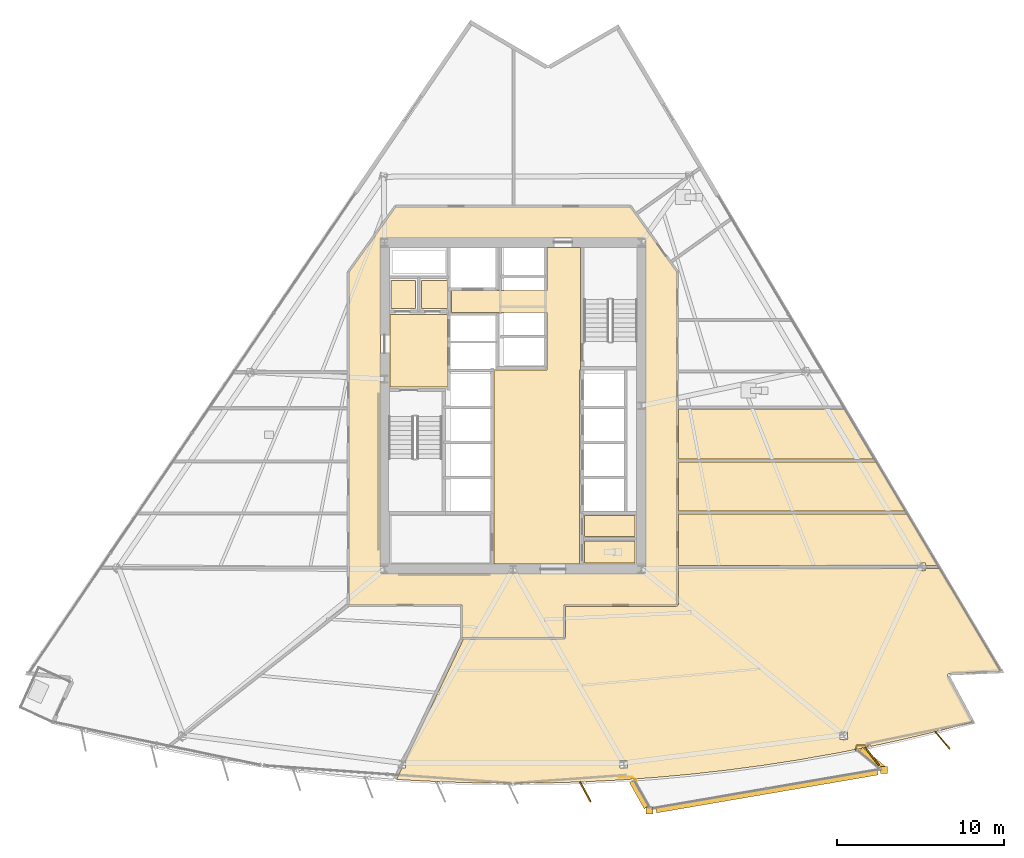
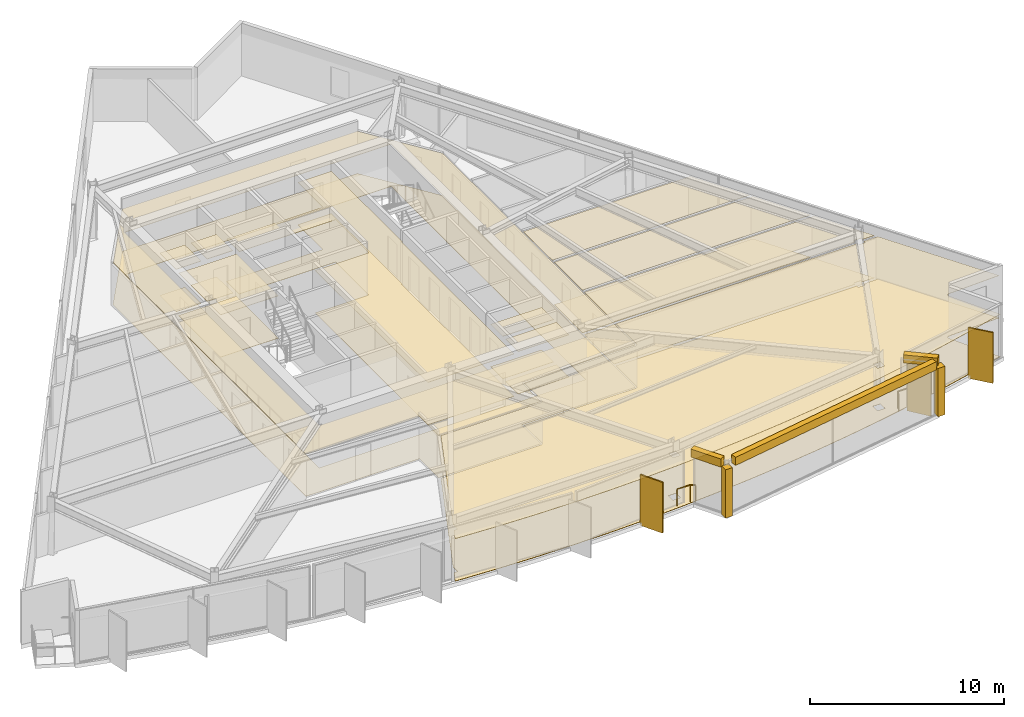
# One storey, part 13 of 16: 26 coverings, 3 shading devices, 2 railings.
"""IFC4 building model written with IfcOpenShell, lengths in metres."""

from ifc_helpers import new_model, si_unit, direction, frame, origin, origin_2d, place, context, subcontext, project, spatial, polyline, rectangle, circle, outline, extrude, material, layer, layer_set, type_object, element, save


model = new_model("IFC4")

# Units and contexts
model_context = context("Model", 3, precision=1e-05, world=origin(), true_north=direction((0.0, 1.0)))
body_context = subcontext(model_context, "Body", "Model", "MODEL_VIEW")
ifc_project = project(units=[si_unit("LENGTHUNIT", "METRE"), si_unit("AREAUNIT", "SQUARE_METRE"), si_unit("VOLUMEUNIT", "CUBIC_METRE"), si_unit("PLANEANGLEUNIT", "RADIAN"), si_unit("MASSUNIT", "GRAM", prefix="KILO")], contexts=[model_context])

# Site, building, storey
site_placement = place(None, origin())
site = spatial("IfcSite", under=ifc_project, at=site_placement, CompositionType="ELEMENT")
building_placement = place(site_placement, origin())
building = spatial("IfcBuilding", under=site, at=building_placement, Name="Savorim Split Tower", CompositionType="ELEMENT")
storey_placement = place(building_placement, frame((0.0, 0.0, 51.60009765625)))
storey = spatial("IfcBuildingStorey", under=building, at=storey_placement, Name="L13", CompositionType="ELEMENT", Elevation=51.60009765625)

# Coverings
ifc_material_1 = material(Name="Mineral Fibre Acoustic Ceiling")
ifc_layer_1 = layer(ifc_material_1, 0.02490234375)
ifc_layer_set_1 = layer_set([ifc_layer_1], Name="COV-CEIL-25")
covering_type_1 = type_object("IfcCoveringType", Name="COV-CEIL-25", PredefinedType="CEILING", material=ifc_layer_set_1)
covering_1_placement = place(storey_placement, frame((0.0, 0.0, 2.669921875)))
element("IfcCovering", 1, at=covering_1_placement, inside=storey, type_object=covering_type_1, Name="L13 Firefighting Lift Lobby Acoustic Ceiling", PredefinedType="CEILING", context=body_context, shape_type="SweptSolid", body=[
    extrude(outline(polyline([(-7.3798828125, 5.8701171875), (-7.3798828125, 1.530029296875), (-3.929931640625, 1.530029296875), (-3.929931640625, 5.8701171875), (-7.3798828125, 5.8701171875)])), origin(), (0.0, 0.0, 1.0), 0.02490234375),
])
covering_2_placement = place(storey_placement, frame((0.0, 0.0, 2.669921875)))
element("IfcCovering", 2, at=covering_2_placement, inside=storey, type_object=covering_type_1, Name="L13 Electrical Riser Acoustic Ceiling", PredefinedType="CEILING", context=body_context, shape_type="SweptSolid", body=[
    extrude(outline(polyline([(-7.320068359375, 7.919921875), (-7.320068359375, 6.22998046875), (-5.830078125, 6.22998046875), (-5.830078125, 7.919921875), (-7.320068359375, 7.919921875)])), origin(), (0.0, 0.0, 1.0), 0.02490234375),
])
covering_3_placement = place(storey_placement, frame((0.0, 0.0, 2.669921875)))
element("IfcCovering", 3, at=covering_3_placement, inside=storey, type_object=covering_type_1, Name="L13 Telecom Riser Acoustic Ceiling", PredefinedType="CEILING", context=body_context, shape_type="SweptSolid", body=[
    extrude(outline(polyline([(-5.469970703125, 7.919921875), (-5.469970703125, 6.22998046875), (-3.929931640625, 6.22998046875), (-3.929931640625, 7.919921875), (-5.469970703125, 7.919921875)])), origin(), (0.0, 0.0, 1.0), 0.02490234375),
])
covering_4_placement = place(storey_placement, frame((0.0, 0.0, 2.669921875)))
element("IfcCovering", 4, at=covering_4_placement, inside=storey, type_object=covering_type_1, Name="L13 Lift Lobby Acoustic Ceiling", PredefinedType="CEILING", context=body_context, shape_type="SweptSolid", body=[
    extrude(outline(polyline([(2.050048828125, 2.550048828125), (-1.14990234375, 2.550048828125), (-1.14990234375, -9.10009765625), (4.0, -9.10009765625), (4.0, 2.550048828125), (4.050048828125, 2.550048828125), (4.050048828125, 5.97998046875), (4.050048828125, 7.300048828125), (4.050048828125, 9.8798828125), (2.050048828125, 9.8798828125), (2.050048828125, 7.300048828125), (-3.699951171875, 7.300048828125), (-3.699951171875, 5.97998046875), (2.050048828125, 5.97998046875), (2.050048828125, 2.550048828125)])), origin(), (0.0, 0.0, 1.0), 0.02490234375),
])
covering_5_placement = place(storey_placement, frame((0.0, 0.0, 2.669921875)))
element("IfcCovering", 5, at=covering_5_placement, inside=storey, type_object=covering_type_1, Name="L13 Accessible WC Acoustic Ceiling", PredefinedType="CEILING", context=body_context, shape_type="SweptSolid", body=[
    extrude(outline(polyline([(4.280029296875, -7.719970703125), (4.280029296875, -9.02001953125), (7.320068359375, -9.02001953125), (7.320068359375, -7.719970703125), (4.280029296875, -7.719970703125)])), origin(), (0.0, 0.0, 1.0), 0.02490234375),
])
covering_6_placement = place(storey_placement, frame((0.0, 0.0, 2.669921875)))
element("IfcCovering", 6, at=covering_6_placement, inside=storey, type_object=covering_type_1, Name="L13 Cleaning Store Acoustic Ceiling", PredefinedType="CEILING", context=body_context, shape_type="SweptSolid", body=[
    extrude(outline(polyline([(4.280029296875, -6.179931640625), (4.280029296875, -7.43994140625), (7.320068359375, -7.43994140625), (7.320068359375, -6.179931640625), (4.280029296875, -6.179931640625)])), origin(), (0.0, 0.0, 1.0), 0.02490234375),
])
covering_7_placement = place(storey_placement, frame((0.0, 0.0, 2.669921875)))
element("IfcCovering", 7, at=covering_7_placement, inside=storey, type_object=covering_type_1, Name="L13 Corridor Acoustic Ceiling", PredefinedType="CEILING", context=body_context, shape_type="SweptSolid", body=[
    extrude(outline(polyline([(7.009521484375, 12.3291015625), (7.004638671875, 12.329833984375), (7.0, 12.330078125), (-7.0, 12.330078125), (-7.004638671875, 12.329833984375), (-7.009521484375, 12.3291015625), (-7.013916015625, 12.327880859375), (-7.0185546875, 12.326416015625), (-7.022705078125, 12.324462890625), (-7.027099609375, 12.322021484375), (-7.03076171875, 12.3193359375), (-7.034423828125, 12.31640625), (-7.03759765625, 12.312744140625), (-7.04052734375, 12.30908203125), (-9.820556640625, 8.42919921875), (-9.823486328125, 8.4248046875), (-9.82568359375, 8.420166015625), (-9.82763671875, 8.415283203125), (-9.828857421875, 8.410400390625), (-9.82958984375, 8.4052734375), (-9.830078125, 8.39990234375), (-9.830078125, -11.47998046875), (-9.829833984375, -11.48486328125), (-9.8291015625, -11.48974609375), (-9.827880859375, -11.494384765625), (-9.826171875, -11.4990234375), (-9.82421875, -11.503662109375), (-9.821533203125, -11.5078125), (-9.818603515625, -11.51171875), (-9.8154296875, -11.515380859375), (-9.811767578125, -11.518798828125), (-9.807861328125, -11.521484375), (-9.8037109375, -11.524169921875), (-9.799072265625, -11.526123046875), (-9.79443359375, -11.52783203125), (-9.789794921875, -11.529052734375), (-9.784912109375, -11.52978515625), (-9.780029296875, -11.530029296875), (-3.050048828125, -11.530029296875), (-3.050048828125, -13.449951171875), (-3.0498046875, -13.454833984375), (-3.049072265625, -13.459716796875), (-3.0478515625, -13.464599609375), (-3.046142578125, -13.468994140625), (-3.044189453125, -13.4736328125), (-3.04150390625, -13.477783203125), (-3.038818359375, -13.481689453125), (-3.035400390625, -13.4853515625), (-3.03173828125, -13.48876953125), (-3.02783203125, -13.49169921875), (-3.023681640625, -13.494140625), (-3.01904296875, -13.49609375), (-3.014404296875, -13.497802734375), (-3.009765625, -13.4990234375), (-3.0048828125, -13.499755859375), (-3.0, -13.5), (3.0, -13.5), (3.0048828125, -13.499755859375), (3.009765625, -13.4990234375), (3.014404296875, -13.497802734375), (3.01904296875, -13.49609375), (3.023681640625, -13.494140625), (3.02783203125, -13.49169921875), (3.03173828125, -13.48876953125), (3.035400390625, -13.4853515625), (3.038818359375, -13.481689453125), (3.04150390625, -13.477783203125), (3.044189453125, -13.4736328125), (3.046142578125, -13.468994140625), (3.0478515625, -13.464599609375), (3.049072265625, -13.459716796875), (3.0498046875, -13.454833984375), (3.050048828125, -13.449951171875), (3.050048828125, -11.530029296875), (9.780029296875, -11.530029296875), (9.784912109375, -11.52978515625), (9.789794921875, -11.529052734375), (9.79443359375, -11.52783203125), (9.799072265625, -11.526123046875), (9.8037109375, -11.524169921875), (9.807861328125, -11.521484375), (9.811767578125, -11.518798828125), (9.8154296875, -11.515380859375), (9.818603515625, -11.51171875), (9.821533203125, -11.5078125), (9.82421875, -11.503662109375), (9.826171875, -11.4990234375), (9.827880859375, -11.494384765625), (9.8291015625, -11.48974609375), (9.829833984375, -11.48486328125), (9.830078125, -11.47998046875), (9.830078125, 8.39990234375), (9.82958984375, 8.4052734375), (9.828857421875, 8.410400390625), (9.82763671875, 8.415283203125), (9.82568359375, 8.420166015625), (9.823486328125, 8.4248046875), (9.820556640625, 8.42919921875), (7.04052734375, 12.30908203125), (7.03759765625, 12.312744140625), (7.034423828125, 12.31640625), (7.03076171875, 12.3193359375), (7.027099609375, 12.322021484375), (7.022705078125, 12.324462890625), (7.0185546875, 12.326416015625), (7.013916015625, 12.327880859375), (7.009521484375, 12.3291015625)]), holes=[polyline([(-7.949951171875, 10.449951171875), (-7.949951171875, -9.64990234375), (7.949951171875, -9.64990234375), (7.949951171875, 10.449951171875), (-7.949951171875, 10.449951171875)])]), origin(), (0.0, 0.0, 1.0), 0.02490234375),
])
covering_8_placement = place(storey_placement, frame((0.0, 0.0, 2.669921875)))
element("IfcCovering", 8, at=covering_8_placement, inside=storey, type_object=covering_type_1, Name="L13 Co-Working Commons Acoustic Ceiling", PredefinedType="CEILING", context=body_context, shape_type="SweptSolid", body=[
    extrude(outline(polyline([(26.14453125, -15.643798828125), (26.15576171875, -15.6416015625), (26.167236328125, -15.640380859375), (29.23046875, -15.51025390625), (25.551513671875, -9.3232421875), (25.551513671875, -9.356201171875), (24.72412109375, -9.356201171875), (24.72412109375, -9.48876953125), (24.2919921875, -9.48876953125), (24.2919921875, -9.356201171875), (9.919921875, -9.356201171875), (9.919921875, -11.47998046875), (9.919189453125, -11.49365234375), (9.917236328125, -11.50732421875), (9.9140625, -11.5205078125), (9.9091796875, -11.53369140625), (9.903564453125, -11.5458984375), (9.896484375, -11.557861328125), (9.88818359375, -11.56884765625), (9.87890625, -11.5791015625), (9.868896484375, -11.588134765625), (9.85791015625, -11.596435546875), (9.845947265625, -11.603515625), (9.83349609375, -11.609375), (9.820556640625, -11.614013671875), (9.807373046875, -11.6171875), (9.793701171875, -11.619384765625), (9.780029296875, -11.6201171875), (3.139892578125, -11.6201171875), (3.139892578125, -13.449951171875), (3.139404296875, -13.463623046875), (3.13720703125, -13.477294921875), (3.134033203125, -13.490478515625), (3.12939453125, -13.503662109375), (3.12353515625, -13.51611328125), (3.116455078125, -13.52783203125), (3.108154296875, -13.538818359375), (3.09912109375, -13.549072265625), (3.0888671875, -13.55810546875), (3.077880859375, -13.56640625), (3.06591796875, -13.573486328125), (3.0537109375, -13.579345703125), (3.04052734375, -13.583984375), (3.02734375, -13.58740234375), (3.013671875, -13.58935546875), (3.0, -13.590087890625), (-2.968505859375, -13.590087890625), (-6.431396484375, -20.85107421875), (-6.428955078125, -20.85107421875), (-6.428955078125, -21.305908203125), (-6.648193359375, -21.305908203125), (-6.9697265625, -21.980224609375), (-6.976806640625, -21.9951171875), (-6.461181640625, -22.031982421875), (-4.30908203125, -22.14208984375), (-2.15478515625, -22.208251953125), (0.0, -22.23046875), (2.15478515625, -22.208251953125), (4.30908203125, -22.14208984375), (6.461181640625, -22.031982421875), (8.610595703125, -21.877685546875), (10.756591796875, -21.6796875), (12.898193359375, -21.4375), (15.0341796875, -21.15185546875), (17.163818359375, -20.822265625), (19.286376953125, -20.44921875), (21.40087890625, -20.032958984375), (23.50634765625, -19.573486328125), (25.601806640625, -19.071044921875), (27.54052734375, -18.564208984375), (26.066650390625, -15.817138671875), (26.061767578125, -15.806640625), (26.057861328125, -15.7958984375), (26.054931640625, -15.78466796875), (26.052978515625, -15.773193359375), (26.052490234375, -15.76171875), (26.052734375, -15.750244140625), (26.054443359375, -15.73876953125), (26.056884765625, -15.7275390625), (26.060791015625, -15.716552734375), (26.0654296875, -15.7060546875), (26.071044921875, -15.696044921875), (26.077880859375, -15.6865234375), (26.085205078125, -15.677978515625), (26.093505859375, -15.669921875), (26.102783203125, -15.66259765625), (26.1123046875, -15.656494140625), (26.122802734375, -15.651123046875), (26.13330078125, -15.64697265625), (26.14453125, -15.643798828125)]), holes=[polyline([(6.428955078125, -21.305908203125), (6.861083984375, -21.305908203125), (6.861083984375, -20.85107421875), (6.428955078125, -20.85107421875), (6.428955078125, -21.305908203125)]), polyline([(20.042724609375, -19.613525390625), (20.042724609375, -19.15869140625), (19.61083984375, -19.15869140625), (19.61083984375, -19.613525390625), (20.042724609375, -19.613525390625)])]), origin(), (0.0, 0.0, 1.0), 0.02490234375),
])
covering_9_placement = place(storey_placement, frame((0.0, 0.0, 2.669921875)))
element("IfcCovering", 9, at=covering_9_placement, inside=storey, type_object=covering_type_1, Name="L13 Quiet Study Room Acoustic Ceiling", PredefinedType="CEILING", context=body_context, shape_type="SweptSolid", body=[
    extrude(outline(polyline([(24.72412109375, -9.03369140625), (24.72412109375, -9.166259765625), (25.45654296875, -9.166259765625), (25.4580078125, -9.166259765625), (23.63427734375, -6.09912109375), (9.919921875, -6.09912109375), (9.919921875, -9.166259765625), (24.2919921875, -9.166259765625), (24.2919921875, -9.03369140625), (24.72412109375, -9.03369140625)])), origin(), (0.0, 0.0, 1.0), 0.02490234375),
])
covering_10_placement = place(storey_placement, frame((0.0, 0.0, 2.669921875)))
element("IfcCovering", 10, at=covering_10_placement, inside=storey, type_object=covering_type_1, Name="L13 Quiet Study Room Acoustic Ceiling", PredefinedType="CEILING", context=body_context, shape_type="SweptSolid", body=[
    extrude(outline(polyline([(23.521240234375, -5.9091796875), (21.78173828125, -2.983642578125), (9.919921875, -2.983642578125), (9.919921875, -5.9091796875), (23.521240234375, -5.9091796875)])), origin(), (0.0, 0.0, 1.0), 0.02490234375),
])
covering_11_placement = place(storey_placement, frame((0.0, 0.0, 2.669921875)))
element("IfcCovering", 11, at=covering_11_placement, inside=storey, type_object=covering_type_1, Name="L13 Quiet Study Room Acoustic Ceiling", PredefinedType="CEILING", context=body_context, shape_type="SweptSolid", body=[
    extrude(outline(polyline([(21.6689453125, -2.793701171875), (19.88720703125, 0.20263671875), (9.919921875, 0.20263671875), (9.919921875, -2.793701171875), (21.6689453125, -2.793701171875)])), origin(), (0.0, 0.0, 1.0), 0.02490234375),
])
ifc_material_2 = material(Name="Porcelain Stoneware Flooring", Category="masonry")
ifc_layer_2 = layer(ifc_material_2, 0.02001953125)
ifc_layer_set_2 = layer_set([ifc_layer_2], Name="COV-FLOR-20")
covering_type_2 = type_object("IfcCoveringType", Name="COV-FLOR-20", PredefinedType="FLOORING", material=ifc_layer_set_2)
covering_12_placement = place(storey_placement, origin())
element("IfcCovering", 12, at=covering_12_placement, inside=storey, type_object=covering_type_2, Name="L13 Firefighting Lift Lobby Porcelain Flooring", PredefinedType="FLOORING", context=body_context, shape_type="SweptSolid", body=[
    extrude(outline(polyline([(-7.3798828125, 5.8701171875), (-7.3798828125, 1.530029296875), (-3.929931640625, 1.530029296875), (-3.929931640625, 5.8701171875), (-7.3798828125, 5.8701171875)])), origin(), (0.0, 0.0, 1.0), 0.02001953125),
])
covering_13_placement = place(storey_placement, origin())
element("IfcCovering", 13, at=covering_13_placement, inside=storey, type_object=covering_type_2, Name="L13 Electrical Riser Porcelain Flooring", PredefinedType="FLOORING", context=body_context, shape_type="SweptSolid", body=[
    extrude(outline(polyline([(-7.320068359375, 7.919921875), (-7.320068359375, 6.22998046875), (-5.830078125, 6.22998046875), (-5.830078125, 7.919921875), (-7.320068359375, 7.919921875)])), origin(), (0.0, 0.0, 1.0), 0.02001953125),
])
covering_14_placement = place(storey_placement, origin())
element("IfcCovering", 14, at=covering_14_placement, inside=storey, type_object=covering_type_2, Name="L13 Telecom Riser Porcelain Flooring", PredefinedType="FLOORING", context=body_context, shape_type="SweptSolid", body=[
    extrude(outline(polyline([(-5.469970703125, 7.919921875), (-5.469970703125, 6.22998046875), (-3.929931640625, 6.22998046875), (-3.929931640625, 7.919921875), (-5.469970703125, 7.919921875)])), origin(), (0.0, 0.0, 1.0), 0.02001953125),
])
covering_15_placement = place(storey_placement, origin())
element("IfcCovering", 15, at=covering_15_placement, inside=storey, type_object=covering_type_2, Name="L13 Lift Lobby Porcelain Flooring", PredefinedType="FLOORING", context=body_context, shape_type="SweptSolid", body=[
    extrude(outline(polyline([(2.050048828125, 2.550048828125), (-1.14990234375, 2.550048828125), (-1.14990234375, -9.10009765625), (4.0, -9.10009765625), (4.0, 2.550048828125), (4.050048828125, 2.550048828125), (4.050048828125, 5.97998046875), (4.050048828125, 7.300048828125), (4.050048828125, 9.8798828125), (2.050048828125, 9.8798828125), (2.050048828125, 7.300048828125), (-3.699951171875, 7.300048828125), (-3.699951171875, 5.97998046875), (2.050048828125, 5.97998046875), (2.050048828125, 2.550048828125)])), origin(), (0.0, 0.0, 1.0), 0.02001953125),
])
covering_16_placement = place(storey_placement, origin())
element("IfcCovering", 16, at=covering_16_placement, inside=storey, type_object=covering_type_2, Name="L13 Accessible WC Porcelain Flooring", PredefinedType="FLOORING", context=body_context, shape_type="SweptSolid", body=[
    extrude(outline(polyline([(4.280029296875, -7.719970703125), (4.280029296875, -9.02001953125), (7.320068359375, -9.02001953125), (7.320068359375, -7.719970703125), (4.280029296875, -7.719970703125)])), origin(), (0.0, 0.0, 1.0), 0.02001953125),
])
covering_17_placement = place(storey_placement, origin())
element("IfcCovering", 17, at=covering_17_placement, inside=storey, type_object=covering_type_2, Name="L13 Cleaning Store Porcelain Flooring", PredefinedType="FLOORING", context=body_context, shape_type="SweptSolid", body=[
    extrude(outline(polyline([(4.280029296875, -6.179931640625), (4.280029296875, -7.43994140625), (7.320068359375, -7.43994140625), (7.320068359375, -6.179931640625), (4.280029296875, -6.179931640625)])), origin(), (0.0, 0.0, 1.0), 0.02001953125),
])
covering_18_placement = place(storey_placement, origin())
element("IfcCovering", 18, at=covering_18_placement, inside=storey, type_object=covering_type_2, Name="L13 Corridor Porcelain Flooring", PredefinedType="FLOORING", context=body_context, shape_type="SweptSolid", body=[
    extrude(outline(polyline([(7.009521484375, 12.3291015625), (7.004638671875, 12.329833984375), (7.0, 12.330078125), (-7.0, 12.330078125), (-7.004638671875, 12.329833984375), (-7.009521484375, 12.3291015625), (-7.013916015625, 12.327880859375), (-7.0185546875, 12.326416015625), (-7.022705078125, 12.324462890625), (-7.027099609375, 12.322021484375), (-7.03076171875, 12.3193359375), (-7.034423828125, 12.31640625), (-7.03759765625, 12.312744140625), (-7.04052734375, 12.30908203125), (-9.820556640625, 8.42919921875), (-9.823486328125, 8.4248046875), (-9.82568359375, 8.420166015625), (-9.82763671875, 8.415283203125), (-9.828857421875, 8.410400390625), (-9.82958984375, 8.4052734375), (-9.830078125, 8.39990234375), (-9.830078125, -11.47998046875), (-9.829833984375, -11.48486328125), (-9.8291015625, -11.48974609375), (-9.827880859375, -11.494384765625), (-9.826171875, -11.4990234375), (-9.82421875, -11.503662109375), (-9.821533203125, -11.5078125), (-9.818603515625, -11.51171875), (-9.8154296875, -11.515380859375), (-9.811767578125, -11.518798828125), (-9.807861328125, -11.521484375), (-9.8037109375, -11.524169921875), (-9.799072265625, -11.526123046875), (-9.79443359375, -11.52783203125), (-9.789794921875, -11.529052734375), (-9.784912109375, -11.52978515625), (-9.780029296875, -11.530029296875), (-3.050048828125, -11.530029296875), (-3.050048828125, -13.449951171875), (-3.0498046875, -13.454833984375), (-3.049072265625, -13.459716796875), (-3.0478515625, -13.464599609375), (-3.046142578125, -13.468994140625), (-3.044189453125, -13.4736328125), (-3.04150390625, -13.477783203125), (-3.038818359375, -13.481689453125), (-3.035400390625, -13.4853515625), (-3.03173828125, -13.48876953125), (-3.02783203125, -13.49169921875), (-3.023681640625, -13.494140625), (-3.01904296875, -13.49609375), (-3.014404296875, -13.497802734375), (-3.009765625, -13.4990234375), (-3.0048828125, -13.499755859375), (-3.0, -13.5), (3.0, -13.5), (3.0048828125, -13.499755859375), (3.009765625, -13.4990234375), (3.014404296875, -13.497802734375), (3.01904296875, -13.49609375), (3.023681640625, -13.494140625), (3.02783203125, -13.49169921875), (3.03173828125, -13.48876953125), (3.035400390625, -13.4853515625), (3.038818359375, -13.481689453125), (3.04150390625, -13.477783203125), (3.044189453125, -13.4736328125), (3.046142578125, -13.468994140625), (3.0478515625, -13.464599609375), (3.049072265625, -13.459716796875), (3.0498046875, -13.454833984375), (3.050048828125, -13.449951171875), (3.050048828125, -11.530029296875), (9.780029296875, -11.530029296875), (9.784912109375, -11.52978515625), (9.789794921875, -11.529052734375), (9.79443359375, -11.52783203125), (9.799072265625, -11.526123046875), (9.8037109375, -11.524169921875), (9.807861328125, -11.521484375), (9.811767578125, -11.518798828125), (9.8154296875, -11.515380859375), (9.818603515625, -11.51171875), (9.821533203125, -11.5078125), (9.82421875, -11.503662109375), (9.826171875, -11.4990234375), (9.827880859375, -11.494384765625), (9.8291015625, -11.48974609375), (9.829833984375, -11.48486328125), (9.830078125, -11.47998046875), (9.830078125, 8.39990234375), (9.82958984375, 8.4052734375), (9.828857421875, 8.410400390625), (9.82763671875, 8.415283203125), (9.82568359375, 8.420166015625), (9.823486328125, 8.4248046875), (9.820556640625, 8.42919921875), (7.04052734375, 12.30908203125), (7.03759765625, 12.312744140625), (7.034423828125, 12.31640625), (7.03076171875, 12.3193359375), (7.027099609375, 12.322021484375), (7.022705078125, 12.324462890625), (7.0185546875, 12.326416015625), (7.013916015625, 12.327880859375), (7.009521484375, 12.3291015625)]), holes=[polyline([(-7.949951171875, 10.449951171875), (-7.949951171875, -9.64990234375), (7.949951171875, -9.64990234375), (7.949951171875, 10.449951171875), (-7.949951171875, 10.449951171875)])]), origin(), (0.0, 0.0, 1.0), 0.02001953125),
])
covering_19_placement = place(storey_placement, origin())
element("IfcCovering", 19, at=covering_19_placement, inside=storey, type_object=covering_type_2, Name="L13 Co-Working Commons Porcelain Flooring", PredefinedType="FLOORING", context=body_context, shape_type="SweptSolid", body=[
    extrude(outline(polyline([(26.14453125, -15.643798828125), (26.15576171875, -15.6416015625), (26.167236328125, -15.640380859375), (29.23046875, -15.51025390625), (25.551513671875, -9.3232421875), (25.551513671875, -9.356201171875), (24.72412109375, -9.356201171875), (24.72412109375, -9.48876953125), (24.2919921875, -9.48876953125), (24.2919921875, -9.356201171875), (9.919921875, -9.356201171875), (9.919921875, -11.47998046875), (9.919189453125, -11.49365234375), (9.917236328125, -11.50732421875), (9.9140625, -11.5205078125), (9.9091796875, -11.53369140625), (9.903564453125, -11.5458984375), (9.896484375, -11.557861328125), (9.88818359375, -11.56884765625), (9.87890625, -11.5791015625), (9.868896484375, -11.588134765625), (9.85791015625, -11.596435546875), (9.845947265625, -11.603515625), (9.83349609375, -11.609375), (9.820556640625, -11.614013671875), (9.807373046875, -11.6171875), (9.793701171875, -11.619384765625), (9.780029296875, -11.6201171875), (3.139892578125, -11.6201171875), (3.139892578125, -13.449951171875), (3.139404296875, -13.463623046875), (3.13720703125, -13.477294921875), (3.134033203125, -13.490478515625), (3.12939453125, -13.503662109375), (3.12353515625, -13.51611328125), (3.116455078125, -13.52783203125), (3.108154296875, -13.538818359375), (3.09912109375, -13.549072265625), (3.0888671875, -13.55810546875), (3.077880859375, -13.56640625), (3.06591796875, -13.573486328125), (3.0537109375, -13.579345703125), (3.04052734375, -13.583984375), (3.02734375, -13.58740234375), (3.013671875, -13.58935546875), (3.0, -13.590087890625), (-2.968505859375, -13.590087890625), (-6.431396484375, -20.85107421875), (-6.428955078125, -20.85107421875), (-6.428955078125, -21.305908203125), (-6.648193359375, -21.305908203125), (-6.9697265625, -21.980224609375), (-6.976806640625, -21.9951171875), (-6.461181640625, -22.031982421875), (-4.30908203125, -22.14208984375), (-2.15478515625, -22.208251953125), (0.0, -22.23046875), (2.15478515625, -22.208251953125), (4.30908203125, -22.14208984375), (6.461181640625, -22.031982421875), (8.610595703125, -21.877685546875), (10.756591796875, -21.6796875), (12.898193359375, -21.4375), (15.0341796875, -21.15185546875), (17.163818359375, -20.822265625), (19.286376953125, -20.44921875), (21.40087890625, -20.032958984375), (23.50634765625, -19.573486328125), (25.601806640625, -19.071044921875), (27.54052734375, -18.564208984375), (26.066650390625, -15.817138671875), (26.061767578125, -15.806640625), (26.057861328125, -15.7958984375), (26.054931640625, -15.78466796875), (26.052978515625, -15.773193359375), (26.052490234375, -15.76171875), (26.052734375, -15.750244140625), (26.054443359375, -15.73876953125), (26.056884765625, -15.7275390625), (26.060791015625, -15.716552734375), (26.0654296875, -15.7060546875), (26.071044921875, -15.696044921875), (26.077880859375, -15.6865234375), (26.085205078125, -15.677978515625), (26.093505859375, -15.669921875), (26.102783203125, -15.66259765625), (26.1123046875, -15.656494140625), (26.122802734375, -15.651123046875), (26.13330078125, -15.64697265625), (26.14453125, -15.643798828125)]), holes=[polyline([(6.428955078125, -21.305908203125), (6.861083984375, -21.305908203125), (6.861083984375, -20.85107421875), (6.428955078125, -20.85107421875), (6.428955078125, -21.305908203125)]), polyline([(20.042724609375, -19.613525390625), (20.042724609375, -19.15869140625), (19.61083984375, -19.15869140625), (19.61083984375, -19.613525390625), (20.042724609375, -19.613525390625)])]), origin(), (0.0, 0.0, 1.0), 0.02001953125),
])
covering_20_placement = place(storey_placement, origin())
element("IfcCovering", 20, at=covering_20_placement, inside=storey, type_object=covering_type_2, Name="L13 Quiet Study Room Porcelain Flooring", PredefinedType="FLOORING", context=body_context, shape_type="SweptSolid", body=[
    extrude(outline(polyline([(24.72412109375, -9.03369140625), (24.72412109375, -9.166259765625), (25.45654296875, -9.166259765625), (25.4580078125, -9.166259765625), (23.63427734375, -6.09912109375), (9.919921875, -6.09912109375), (9.919921875, -9.166259765625), (24.2919921875, -9.166259765625), (24.2919921875, -9.03369140625), (24.72412109375, -9.03369140625)])), origin(), (0.0, 0.0, 1.0), 0.02001953125),
])
covering_21_placement = place(storey_placement, origin())
element("IfcCovering", 21, at=covering_21_placement, inside=storey, type_object=covering_type_2, Name="L13 Quiet Study Room Porcelain Flooring", PredefinedType="FLOORING", context=body_context, shape_type="SweptSolid", body=[
    extrude(outline(polyline([(23.521240234375, -5.9091796875), (21.78173828125, -2.983642578125), (9.919921875, -2.983642578125), (9.919921875, -5.9091796875), (23.521240234375, -5.9091796875)])), origin(), (0.0, 0.0, 1.0), 0.02001953125),
])
ifc_material_3 = material(Name="White Porcelain Architectural Cladding")
ifc_layer_3 = layer(ifc_material_3, 0.139892578125)
ifc_layer_set_3 = layer_set([ifc_layer_3], Name="COV-FRM-WHITE")
covering_type_3 = type_object("IfcCoveringType", Name="COV-FRM-WHITE", PredefinedType="CLADDING", material=ifc_layer_set_3)
covering_22_placement = place(storey_placement, frame((0.0, 0.0, 3.079833984375)))
element("IfcCovering", 22, at=covering_22_placement, inside=storey, type_object=covering_type_3, Name="L13 Cantilevered Lounge White Upper Cornice Band W", PredefinedType="CLADDING", context=body_context, shape_type="SweptSolid", body=[
    extrude(outline(polyline([(6.98193359375, -22.1923828125), (7.867919921875, -23.75927734375), (8.1640625, -23.591796875), (7.27783203125, -22.02490234375), (6.98193359375, -22.1923828125)])), origin(), (0.0, 0.0, 1.0), 0.510009765625),
])
covering_23_placement = place(storey_placement, frame((0.0, 0.0, 3.079833984375)))
element("IfcCovering", 23, at=covering_23_placement, inside=storey, type_object=covering_type_3, Name="L13 Cantilevered Lounge White Upper Cornice Band F", PredefinedType="CLADDING", context=body_context, shape_type="SweptSolid", body=[
    extrude(outline(polyline([(8.609130859375, -24.009033203125), (21.8984375, -21.7314453125), (21.8408203125, -21.396484375), (8.551513671875, -23.673828125), (8.609130859375, -24.009033203125)])), origin(), (0.0, 0.0, 1.0), 0.510009765625),
])
covering_24_placement = place(storey_placement, frame((0.0, 0.0, 3.079833984375)))
element("IfcCovering", 24, at=covering_24_placement, inside=storey, type_object=covering_type_3, Name="L13 Cantilevered Lounge White Upper Cornice Band E", PredefinedType="CLADDING", context=body_context, shape_type="SweptSolid", body=[
    extrude(outline(polyline([(22.334228515625, -21.2265625), (20.947509765625, -20.078857421875), (20.730712890625, -20.3408203125), (22.117431640625, -21.488525390625), (22.334228515625, -21.2265625)])), origin(), (0.0, 0.0, 1.0), 0.510009765625),
])
covering_25_placement = place(storey_placement, frame((0.0, 0.0, 0.010009765625)))
element("IfcCovering", 25, at=covering_25_placement, inside=storey, type_object=covering_type_3, Name="L13 Cantilevered Lounge White Frame Corner Post 1", PredefinedType="CLADDING", context=body_context, shape_type="SweptSolid", body=[
    extrude(outline(polyline([(7.967529296875, -24.06982421875), (8.3876953125, -24.06982421875), (8.3876953125, -23.64990234375), (7.967529296875, -23.64990234375), (7.967529296875, -24.06982421875)])), origin(), (0.0, 0.0, 1.0), 3.0498046875),
])
covering_26_placement = place(storey_placement, frame((0.0, 0.0, 0.010009765625)))
element("IfcCovering", 26, at=covering_26_placement, inside=storey, type_object=covering_type_3, Name="L13 Cantilevered Lounge White Frame Corner Post 2", PredefinedType="CLADDING", context=body_context, shape_type="SweptSolid", body=[
    extrude(outline(polyline([(22.04541015625, -21.656982421875), (22.465576171875, -21.656982421875), (22.465576171875, -21.237060546875), (22.04541015625, -21.237060546875), (22.04541015625, -21.656982421875)])), origin(), (0.0, 0.0, 1.0), 3.0498046875),
])

# Railings
ifc_material_4 = material(Name="Galvanised Painted Steel Balustrade", Category="steel")
railing_type = type_object("IfcRailingType", Name="RLG-BAL-1100", PredefinedType="BALUSTRADE", material=ifc_material_4)
railing_1_placement = place(storey_placement, frame((6.35400390625, -21.864501953125, 0.0)))
element("IfcRailing", 27, at=railing_1_placement, inside=storey, type_object=railing_type, Name="L13 Cantilevered Lounge West Edge Closure Guard", PredefinedType="BALUSTRADE", context=body_context, shape_type="SweptSolid", body=[
    extrude(circle(Radius=0.02392578125, at=origin_2d()), frame((0.0, 0.0, 1.076171875), z_axis=(1.0, 0.0, 0.0), x_axis=(0.0, 1.0, 0.0)), (0.0, 0.0, 1.0), 0.780029296875),
    extrude(circle(Radius=0.02392578125, at=origin_2d()), frame((0.780029296875, 0.0, 1.076171875), z_axis=(0.798861025497, -0.601515637321, 0.0), x_axis=(0.601515637321, 0.798861025497, 0.0)), (0.0, 0.0, 1.0), 0.283203125),
    extrude(circle(Radius=0.02099609375, at=origin_2d()), origin(), (0.0, 0.0, 1.0), 1.052001953125),
    extrude(circle(Radius=0.02099609375, at=origin_2d()), frame((0.780029296875, 0.0, 0.0)), (0.0, 0.0, 1.0), 1.052001953125),
    extrude(circle(Radius=0.02099609375, at=origin_2d()), frame((1.00634765625, -0.17041015625, 0.0)), (0.0, 0.0, 1.0), 1.052001953125),
])
railing_2_placement = place(storey_placement, frame((20.520263671875, -20.223388671875, 0.0)))
element("IfcRailing", 28, at=railing_2_placement, inside=storey, type_object=railing_type, Name="L13 Cantilevered Lounge East Edge Closure Guard", PredefinedType="BALUSTRADE", context=body_context, shape_type="SweptSolid", body=[
    extrude(circle(Radius=0.02392578125, at=origin_2d()), frame((0.0, 0.0, 1.076171875), z_axis=(0.344521031273, 0.93877859957, 0.0), x_axis=(-0.93877859957, 0.344521031273, 0.0)), (0.0, 0.0, 1.0), 0.296142578125),
    extrude(circle(Radius=0.02392578125, at=origin_2d()), frame((0.10205078125, 0.278076171875, 1.076171875), z_axis=(1.0, 0.0, 0.0), x_axis=(0.0, 1.0, 0.0)), (0.0, 0.0, 1.0), 0.780029296875),
    extrude(circle(Radius=0.02099609375, at=origin_2d()), origin(), (0.0, 0.0, 1.0), 1.052001953125),
    extrude(circle(Radius=0.02099609375, at=origin_2d()), frame((0.10205078125, 0.278076171875, 0.0)), (0.0, 0.0, 1.0), 1.052001953125),
    extrude(circle(Radius=0.02099609375, at=origin_2d()), frame((0.882080078125, 0.278076171875, 0.0)), (0.0, 0.0, 1.0), 1.052001953125),
])

# Shading devices
ifc_material_5 = material(Name="Terracotta Ceramic-Coated Aluminium Fin", Category="masonry")
shading_device_type = type_object("IfcShadingDeviceType", Name="SHD-FIN-1360", PredefinedType="USERDEFINED", material=ifc_material_5)
for number, where, z_axis, x_axis, name in (
    (29, (4.33349609375, -22.73779296875, -0.2001953125), (0.0, 0.0, 1.0), (0.474778051978, -0.880105562623, 0.0), "L13 Sawtooth Shading Fin 08"),
    (30, (21.52197265625, -20.61669921875, -0.2001953125), (0.0, 0.0, 1.0), (0.611868076908, -0.790959832394, 0.0), "L13 Sawtooth Shading Fin 12"),
    (31, (25.746826171875, -19.649169921875, -0.2001953125), (0.0, 0.0, 1.0), (0.643719022682, -0.765261928909, 0.0), "L13 Sawtooth Shading Fin 13"),
):
    element("IfcShadingDevice", number, at=place(storey_placement, frame(where, z_axis=z_axis, x_axis=x_axis)), inside=storey, type_object=shading_device_type, Name=name, ObjectType="FIN", PredefinedType="USERDEFINED", context=body_context, shape_type="SweptSolid", body=[
        extrude(rectangle(XDim=1.360107421875, YDim=0.080078125, at=origin_2d()), origin(), (0.0, 0.0, 1.0), 3.199951171875),
    ])

save(model, "model.ifc")
